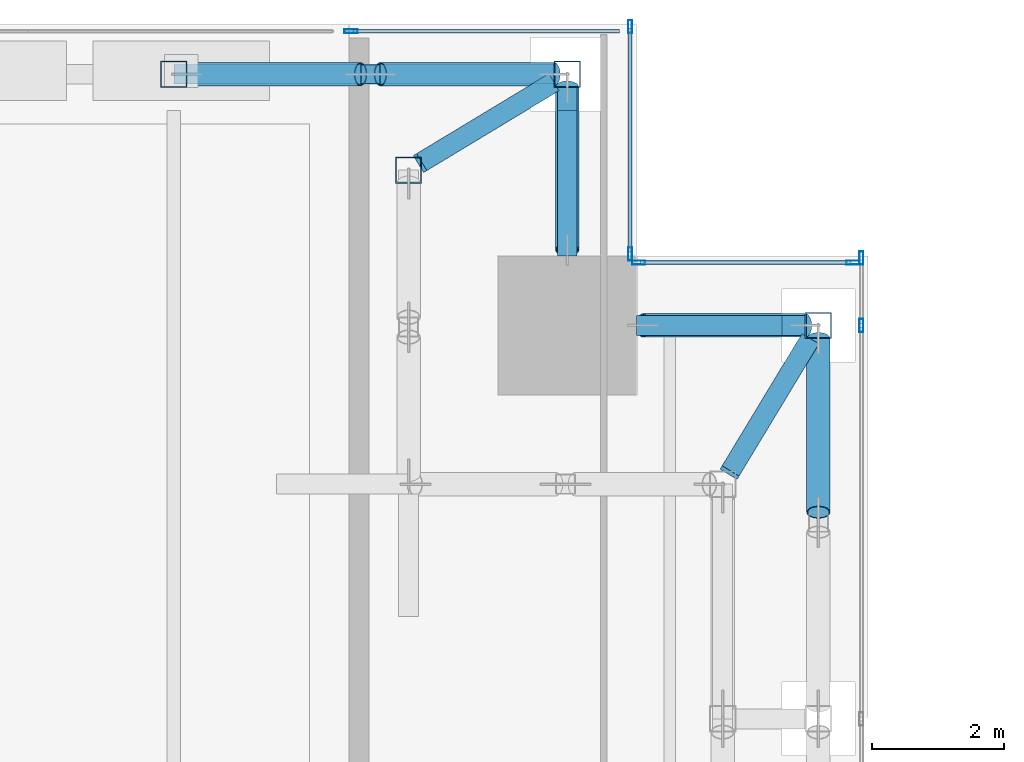
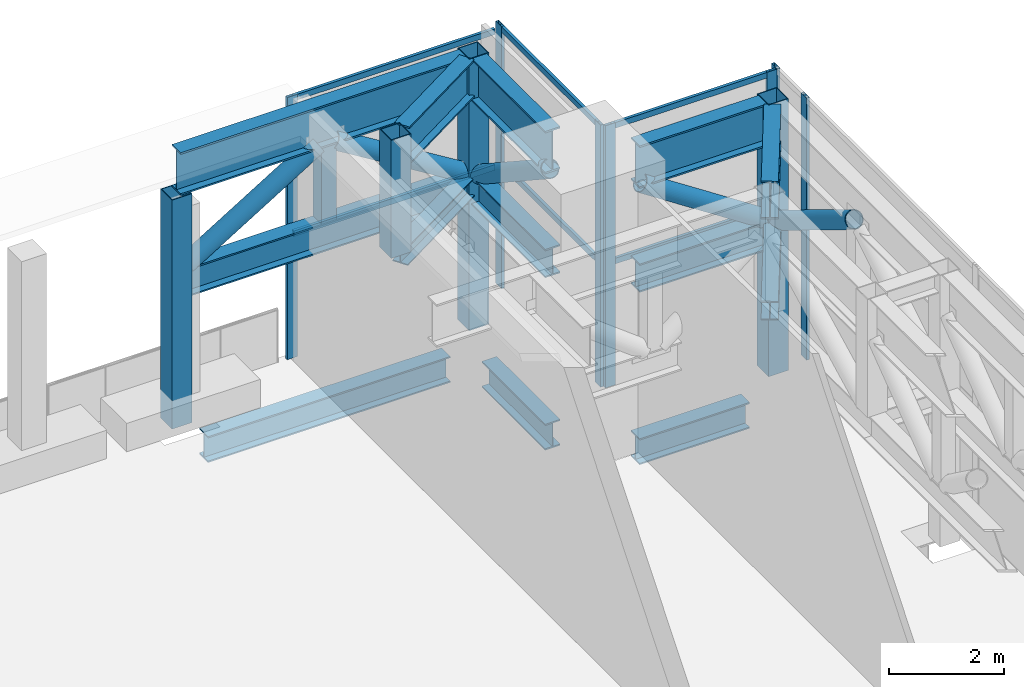
# One storey, part 29 of 47: 29 members, 7 beams, 4 elements without a shape of their own.
"""IFC4 building model written with IfcOpenShell, lengths in metres."""

from ifc_helpers import new_model, si_unit, direction, frame, origin, origin_2d, place, context, subcontext, project, spatial, hollow_rectangle, hollow_circle, i_section, extrude, source, transform, mapped, material, material_profile, profile_set, type_object, element, aggregate, save


model = new_model("IFC4")

# Units and contexts
model_context = context("Model", 3, precision=1e-05, world=origin(), true_north=direction((0.0, 1.0)))
body_context = subcontext(model_context, "Body", "Model", "MODEL_VIEW")
ifc_project = project(units=[si_unit("LENGTHUNIT", "METRE"), si_unit("AREAUNIT", "SQUARE_METRE"), si_unit("VOLUMEUNIT", "CUBIC_METRE"), si_unit("PLANEANGLEUNIT", "RADIAN"), si_unit("MASSUNIT", "GRAM", prefix="KILO")], contexts=[model_context])

# Site, building, storey
site_placement = place(None, origin())
site = spatial("IfcSite", under=ifc_project, at=site_placement, CompositionType="ELEMENT")
building_placement = place(site_placement, origin())
building = spatial("IfcBuilding", under=site, at=building_placement, Name="Khomas Fold Tower", CompositionType="ELEMENT")
storey_placement = place(building_placement, frame((0.0, 0.0, 158.699951171875)))
storey = spatial("IfcBuildingStorey", under=building, at=storey_placement, Name="L34", CompositionType="ELEMENT", Elevation=158.699951171875)

# Beams
ifc_material_1 = material(Name="Steel S355", Category="steel")
ifc_material_profile_1 = material_profile(ifc_material_1, i_section(OverallWidth=0.300048828125, OverallDepth=0.550048828125, WebThickness=0.014892578125, FlangeThickness=0.029052734375, at=origin_2d()), Name="HE 550 B")
ifc_profile_set_1 = profile_set([ifc_material_profile_1], Name="Steel S355")
beam_type_1 = type_object("IfcBeamType", Name="HE 550 B spandrel SB2", PredefinedType="SPANDREL", material=ifc_profile_set_1)
shared_shape_1 = source(origin(), body_context, "Body", "SweptSolid", [
    extrude(i_section(OverallWidth=0.300048828125, OverallDepth=0.550048828125, WebThickness=0.014892578125, FlangeThickness=0.029052734375, at=origin_2d()), origin(), (0.0, 0.0, 1.0), 4.849853515625),
])
beam_placement = place(storey_placement, frame((42.550048828125, 51.75, -0.724853515625), z_axis=(1.0, 0.0, 0.0), x_axis=(0.0, 1.0, 0.0)))
element("IfcBeam", 1, at=beam_placement, inside=storey, type_object=beam_type_1, Name="SB2", PredefinedType="SPANDREL", context=body_context, shape_type="MappedRepresentation", body=[
    mapped(shared_shape_1, transform((0.0, 0.0, 0.0))),
])
shared_shape_2 = source(origin(), body_context, "Body", "SweptSolid", [
    extrude(i_section(OverallWidth=0.300048828125, OverallDepth=0.550048828125, WebThickness=0.014892578125, FlangeThickness=0.029052734375, at=origin_2d()), origin(), (0.0, 0.0, 1.0), 2.199951171875),
])
for number, where, z_axis, x_axis, name in (
    (2, (49.0, 47.949951171875, -0.724853515625), (1.0, 0.0, 0.0), (0.0, 1.0, 0.0), "SB2"),
    (3, (47.949951171875, 49.0, -0.724853515625), (0.0, 1.0, 0.0), (-1.0, 0.0, 0.0), "SB2"),
):
    element("IfcBeam", number, at=place(storey_placement, frame(where, z_axis=z_axis, x_axis=x_axis)), inside=storey, type_object=beam_type_1, Name=name, PredefinedType="SPANDREL", context=body_context, shape_type="MappedRepresentation", body=[
        mapped(shared_shape_2, transform((0.0, 0.0, 0.0))),
    ])

# Members
ifc_material_2 = material(Name="Steel S355", Category="steel")
ifc_material_profile_2 = material_profile(ifc_material_2, i_section(OverallWidth=0.300048828125, OverallDepth=0.60009765625, WebThickness=0.015380859375, FlangeThickness=0.030029296875, at=origin_2d()), Name="HE 600 B")
ifc_profile_set_2 = profile_set([ifc_material_profile_2], Name="Steel S355")
member_type_1 = type_object("IfcMemberType", Name="BELT TRUSS 2 BOTTOM CHORD SHORT HE 600 B", PredefinedType="CHORD", material=ifc_profile_set_2)
shared_shape_3 = source(origin(), body_context, "Body", "SweptSolid", [
    extrude(i_section(OverallWidth=0.300048828125, OverallDepth=0.60009765625, WebThickness=0.015380859375, FlangeThickness=0.030029296875, at=origin_2d()), origin(), (0.0, 0.0, 1.0), 5.550048828125),
])
member_1_placement = place(storey_placement, frame((47.75, 51.75, 2.949951171875), z_axis=(-1.0, 0.0, 0.0), x_axis=(0.0, -1.0, 0.0)))
element("IfcMember", 4, at=member_1_placement, inside=storey, type_object=member_type_1, Name="BT2-CBS", PredefinedType="CHORD", context=body_context, shape_type="MappedRepresentation", body=[
    mapped(shared_shape_3, transform((0.0, 0.0, 0.0))),
])
ifc_material_3 = material(Name="Steel S355", Category="steel")
ifc_material_profile_3 = material_profile(ifc_material_3, hollow_circle(Radius=0.177734375, WallThickness=0.01611328125, at=origin_2d()), Name="CHS 355.6x16")
ifc_profile_set_3 = profile_set([ifc_material_profile_3], Name="Steel S355")
member_type_2 = type_object("IfcMemberType", Name="BELT TRUSS 2 DIAGONAL CHS 355.6x16", PredefinedType="BRACE", material=ifc_profile_set_3)
shared_shape_4 = source(origin(), body_context, "Body", "SweptSolid", [
    extrude(hollow_circle(Radius=0.177734375, WallThickness=0.01611328125, at=origin_2d()), origin(), (0.0, 0.0, 1.0), 3.079345703125),
])
for number, where, z_axis, x_axis, name in (
    (5, (51.75, 45.125, 4.85498046875), (0.0, 0.852457646083, -0.522796290762), (-1.0, 0.0, 0.0), "BT2-D"),
    (6, (47.75, 51.75, 3.2451171875), (-0.852457646083, 0.0, 0.522796290762), (0.0, -1.0, 0.0), "BT2-D"),
    (7, (44.824951171875, 51.75, 4.85498046875), (-0.852457646083, 0.0, -0.522796290762), (0.0, -1.0, 0.0), "BT2-D"),
):
    element("IfcMember", number, at=place(storey_placement, frame(where, z_axis=z_axis, x_axis=x_axis)), inside=storey, type_object=member_type_2, Name=name, PredefinedType="BRACE", context=body_context, shape_type="MappedRepresentation", body=[
        mapped(shared_shape_4, transform((0.0, 0.0, 0.0))),
    ])
ifc_material_4 = material(Name="Steel S355", Category="steel")
ifc_material_profile_4 = material_profile(ifc_material_4, hollow_rectangle(XDim=0.300048828125, YDim=0.300048828125, WallThickness=0.012451171875, at=origin_2d()), Name="SHS 300x300x12.5")
ifc_profile_set_4 = profile_set([ifc_material_profile_4], Name="Steel S355")
member_type_3 = type_object("IfcMemberType", Name="BELT TRUSS 2 MID POST SHS 300x300x12.5", PredefinedType="POST", material=ifc_profile_set_4)
shared_shape_5 = source(origin(), body_context, "Body", "SweptSolid", [
    extrude(hollow_rectangle(XDim=0.300048828125, YDim=0.300048828125, WallThickness=0.012451171875, at=origin_2d()), origin(), (0.0, 0.0, 1.0), 1.60009765625),
])
member_2_placement = place(storey_placement, frame((44.97509765625, 51.75, 3.25), z_axis=(0.0, 0.0, 1.0), x_axis=(1.0, 0.0, 0.0)))
element("IfcMember", 8, at=member_2_placement, inside=storey, type_object=member_type_3, Name="BT2-M", PredefinedType="POST", context=body_context, shape_type="MappedRepresentation", body=[
    mapped(shared_shape_5, transform((0.0, 0.0, 0.0))),
])
ifc_material_5 = material(Name="Steel S460M", Category="steel")
ifc_material_profile_5 = material_profile(ifc_material_5, i_section(OverallWidth=0.300048828125, OverallDepth=0.89990234375, WebThickness=0.0185546875, FlangeThickness=0.034912109375, at=origin_2d()), Name="HE 900 B")
ifc_profile_set_5 = profile_set([ifc_material_profile_5], Name="Steel S460M")
member_type_4 = type_object("IfcMemberType", Name="BELT TRUSS 2 TOP CHORD HE 900 B", PredefinedType="CHORD", material=ifc_profile_set_5)
shared_shape_6 = source(origin(), body_context, "Body", "SweptSolid", [
    extrude(i_section(OverallWidth=0.300048828125, OverallDepth=0.89990234375, WebThickness=0.0185546875, FlangeThickness=0.034912109375, at=origin_2d()), origin(), (0.0, 0.0, 1.0), 5.75),
])
member_3_placement = place(storey_placement, frame((47.75, 51.75, 5.300048828125), z_axis=(-1.0, 0.0, 0.0), x_axis=(0.0, -1.0, 0.0)))
element("IfcMember", 9, at=member_3_placement, inside=storey, type_object=member_type_4, Name="BT2-CT", PredefinedType="CHORD", context=body_context, shape_type="MappedRepresentation", body=[
    mapped(shared_shape_6, transform((0.0, 0.0, 0.0))),
])
ifc_material_6 = material(Name="Steel S460M", Category="steel")
ifc_material_profile_6 = material_profile(ifc_material_6, i_section(OverallWidth=0.300048828125, OverallDepth=0.89990234375, WebThickness=0.0185546875, FlangeThickness=0.034912109375, at=origin_2d()), Name="HE 900 B")
ifc_profile_set_6 = profile_set([ifc_material_profile_6], Name="Steel S460M")
member_type_5 = type_object("IfcMemberType", Name="BELT TRUSS 2 TOP CHORD SHORTER HE 900 B", PredefinedType="CHORD", material=ifc_profile_set_6)
shared_shape_7 = source(origin(), body_context, "Body", "SweptSolid", [
    extrude(i_section(OverallWidth=0.300048828125, OverallDepth=0.89990234375, WebThickness=0.0185546875, FlangeThickness=0.034912109375, at=origin_2d()), origin(), (0.0, 0.0, 1.0), 2.550048828125),
])
for number, where, z_axis, x_axis, name in (
    (10, (51.550048828125, 47.949951171875, 5.300048828125), (-1.0, 0.0, 0.0), (0.0, -1.0, 0.0), "BT2-CTSS"),
    (11, (47.949951171875, 51.550048828125, 5.300048828125), (0.0, -1.0, 0.0), (1.0, 0.0, 0.0), "BT2-CTSS"),
):
    element("IfcMember", number, at=place(storey_placement, frame(where, z_axis=z_axis, x_axis=x_axis)), inside=storey, type_object=member_type_5, Name=name, PredefinedType="CHORD", context=body_context, shape_type="MappedRepresentation", body=[
        mapped(shared_shape_7, transform((0.0, 0.0, 0.0))),
    ])
ifc_material_7 = material(Name="Steel S355", Category="steel")
ifc_material_profile_7 = material_profile(ifc_material_7, i_section(OverallWidth=0.300048828125, OverallDepth=0.60009765625, WebThickness=0.015380859375, FlangeThickness=0.030029296875, at=origin_2d()), Name="HE 600 B")
ifc_profile_set_7 = profile_set([ifc_material_profile_7], Name="Steel S355")
member_type_6 = type_object("IfcMemberType", Name="BELT TRUSS 2 BOTTOM CHORD SHORTER HE 600 B", PredefinedType="CHORD", material=ifc_profile_set_7)
shared_shape_8 = source(origin(), body_context, "Body", "SweptSolid", [
    extrude(i_section(OverallWidth=0.300048828125, OverallDepth=0.60009765625, WebThickness=0.015380859375, FlangeThickness=0.030029296875, at=origin_2d()), origin(), (0.0, 0.0, 1.0), 2.550048828125),
])
for number, where, z_axis, x_axis, name in (
    (12, (51.550048828125, 47.949951171875, 2.949951171875), (-1.0, 0.0, 0.0), (0.0, -1.0, 0.0), "BT2-CBSS"),
    (13, (47.949951171875, 51.550048828125, 2.949951171875), (0.0, -1.0, 0.0), (1.0, 0.0, 0.0), "BT2-CBSS"),
):
    element("IfcMember", number, at=place(storey_placement, frame(where, z_axis=z_axis, x_axis=x_axis)), inside=storey, type_object=member_type_6, Name=name, PredefinedType="CHORD", context=body_context, shape_type="MappedRepresentation", body=[
        mapped(shared_shape_8, transform((0.0, 0.0, 0.0))),
    ])
shared_shape_9 = source(origin(), body_context, "Body", "SweptSolid", [
    extrude(hollow_circle(Radius=0.177734375, WallThickness=0.01611328125, at=origin_2d()), origin(), (0.0, 0.0, 1.0), 2.936279296875),
])
for number, where, z_axis, x_axis, name in (
    (14, (51.550048828125, 47.949951171875, 3.2451171875), (-0.836298117849, 0.0, 0.548274984002), (0.0, -1.0, 0.0), "BT2-D"),
    (15, (47.949951171875, 51.550048828125, 3.2451171875), (0.0, -0.836298117849, 0.548274984002), (1.0, 0.0, 0.0), "BT2-D"),
):
    element("IfcMember", number, at=place(storey_placement, frame(where, z_axis=z_axis, x_axis=x_axis)), inside=storey, type_object=member_type_2, Name=name, PredefinedType="BRACE", context=body_context, shape_type="MappedRepresentation", body=[
        mapped(shared_shape_9, transform((0.0, 0.0, 0.0))),
    ])
ifc_material_8 = material(Name="Steel S460M", Category="steel")
ifc_material_profile_8 = material_profile(ifc_material_8, hollow_rectangle(XDim=0.39990234375, YDim=0.39990234375, WallThickness=0.01611328125, at=origin_2d()), Name="SHS 400x400x16")
ifc_profile_set_8 = profile_set([ifc_material_profile_8], Name="Steel S460M")
member_type_7 = type_object("IfcMemberType", Name="BELT TRUSS 2 COLUMN POST SHS 400x400x16", PredefinedType="POST", material=ifc_profile_set_8)
shared_shape_10 = source(origin(), body_context, "Body", "SweptSolid", [
    extrude(hollow_rectangle(XDim=0.39990234375, YDim=0.39990234375, WallThickness=0.01611328125, at=origin_2d()), origin(), (0.0, 0.0, 1.0), 5.75),
])
for number, where, z_axis, x_axis, name in (
    (16, (51.75, 47.949951171875, 0.0), (0.0, 0.0, 1.0), (1.0, 0.0, 0.0), "BT2-P"),
    (17, (47.949951171875, 51.75, 0.0), (0.0, 0.0, 1.0), (1.0, 0.0, 0.0), "BT2-P"),
):
    element("IfcMember", number, at=place(storey_placement, frame(where, z_axis=z_axis, x_axis=x_axis)), inside=storey, type_object=member_type_7, Name=name, PredefinedType="POST", context=body_context, shape_type="MappedRepresentation", body=[
        mapped(shared_shape_10, transform((0.0, 0.0, 0.0))),
    ])
shared_shape_11 = source(origin(), body_context, "Body", "SweptSolid", [
    extrude(hollow_rectangle(XDim=0.39990234375, YDim=0.39990234375, WallThickness=0.01611328125, at=origin_2d()), origin(), (0.0, 0.0, 1.0), 4.85009765625),
])
member_4_placement = place(storey_placement, frame((42.0, 51.75, 0.0), z_axis=(0.0, 0.0, 1.0), x_axis=(1.0, 0.0, 0.0)))
element("IfcMember", 18, at=member_4_placement, inside=storey, type_object=member_type_7, Name="BT2-P", PredefinedType="POST", context=body_context, shape_type="MappedRepresentation", body=[
    mapped(shared_shape_11, transform((0.0, 0.0, 0.0))),
])
ifc_material_9 = material(Name="Steel S460M", Category="steel")
ifc_material_profile_9 = material_profile(ifc_material_9, hollow_rectangle(XDim=0.39990234375, YDim=0.39990234375, WallThickness=0.01611328125, at=origin_2d()), Name="SHS 400x400x16")
ifc_profile_set_9 = profile_set([ifc_material_profile_9], Name="Steel S460M")
member_type_8 = type_object("IfcMemberType", Name="BELT TRUSS 2 COLUMN POST SHORT SHS 400x400x16", PredefinedType="POST", material=ifc_profile_set_9)
shared_shape_12 = source(origin(), body_context, "Body", "SweptSolid", [
    extrude(hollow_rectangle(XDim=0.39990234375, YDim=0.39990234375, WallThickness=0.01611328125, at=origin_2d()), origin(), (0.0, 0.0, 1.0), 2.5),
])
member_5_placement = place(storey_placement, frame((45.550048828125, 50.300048828125, 3.25), z_axis=(0.0, 0.0, 1.0), x_axis=(1.0, 0.0, 0.0)))
element("IfcMember", 19, at=member_5_placement, inside=storey, type_object=member_type_8, Name="BT2-PS", PredefinedType="POST", context=body_context, shape_type="MappedRepresentation", body=[
    mapped(shared_shape_12, transform((0.0, 0.0, 0.0))),
])

# Beams
ifc_material_10 = material(Name="Steel S460M", Category="steel")
ifc_material_profile_10 = material_profile(ifc_material_10, i_section(OverallWidth=0.300048828125, OverallDepth=0.800048828125, WebThickness=0.017578125, FlangeThickness=0.032958984375, at=origin_2d()), Name="HE 800 B")
ifc_profile_set_10 = profile_set([ifc_material_profile_10], Name="Steel S460M")
beam_type_2 = type_object("IfcBeamType", Name="BELT TRUSS 2 TOP TRANSFER STRUT HE 800 B", PredefinedType="BEAM", material=ifc_profile_set_10)
shared_shape_13 = source(origin(), body_context, "Body", "SweptSolid", [
    extrude(i_section(OverallWidth=0.300048828125, OverallDepth=0.800048828125, WebThickness=0.017578125, FlangeThickness=0.032958984375, at=origin_2d()), origin(), (0.0, 0.0, 1.0), 2.336669921875),
])
for number, where, z_axis, x_axis, name in (
    (20, (50.4208984375, 45.75, 5.35009765625), (0.517090125061, 0.855930956657, 0.0), (-0.855930956657, 0.517090125061, 0.0), "BT2-STD"),
    (21, (45.75, 50.4208984375, 5.35009765625), (0.855930956657, 0.517090125061, 0.0), (-0.517090125061, 0.855930956657, 0.0), "BT2-STD"),
):
    element("IfcBeam", number, at=place(storey_placement, frame(where, z_axis=z_axis, x_axis=x_axis)), inside=storey, type_object=beam_type_2, Name=name, PredefinedType="BEAM", context=body_context, shape_type="MappedRepresentation", body=[
        mapped(shared_shape_13, transform((0.0, 0.0, 0.0))),
    ])
ifc_material_11 = material(Name="Steel S355", Category="steel")
ifc_material_profile_11 = material_profile(ifc_material_11, i_section(OverallWidth=0.300048828125, OverallDepth=0.39990234375, WebThickness=0.013427734375, FlangeThickness=0.02392578125, at=origin_2d()), Name="HE 400 B")
ifc_profile_set_11 = profile_set([ifc_material_profile_11], Name="Steel S355")
beam_type_3 = type_object("IfcBeamType", Name="BELT TRUSS 2 BOTTOM STRUT LONG HE 400 B", PredefinedType="BEAM", material=ifc_profile_set_11)
shared_shape_14 = source(origin(), body_context, "Body", "SweptSolid", [
    extrude(i_section(OverallWidth=0.300048828125, OverallDepth=0.39990234375, WebThickness=0.013427734375, FlangeThickness=0.02392578125, at=origin_2d()), origin(), (0.0, 0.0, 1.0), 2.39501953125),
])
for number, where, z_axis, x_axis, name in (
    (22, (50.390625, 45.699951171875, 3.050048828125), (0.51710163837, 0.855924001063, 0.0), (-0.855924001063, 0.51710163837, 0.0), "BT2-SBL"),
    (23, (45.699951171875, 50.390625, 3.050048828125), (0.855924001063, 0.51710163837, 0.0), (-0.51710163837, 0.855924001063, 0.0), "BT2-SBL"),
):
    element("IfcBeam", number, at=place(storey_placement, frame(where, z_axis=z_axis, x_axis=x_axis)), inside=storey, type_object=beam_type_3, Name=name, PredefinedType="BEAM", context=body_context, shape_type="MappedRepresentation", body=[
        mapped(shared_shape_14, transform((0.0, 0.0, 0.0))),
    ])

# Curtain wall, members
ifc_material_12 = material(Name="Aluminium framed double glazing", Category="aluminium")
curtain_wall_type = type_object("IfcCurtainWallType", Name="SK-Unitised clear-glass wall, growing floors CW1", PredefinedType="NOTDEFINED", material=ifc_material_12)
curtain_wall_1_placement = place(storey_placement, origin())
curtain_wall_1 = element("IfcCurtainWall", 24, at=curtain_wall_1_placement, inside=storey, type_object=curtain_wall_type, Name="CW1 corner return L34 09", PredefinedType="NOTDEFINED")
ifc_material_13 = material(Name="Aluminium", Category="aluminium")
ifc_material_profile_12 = material_profile(ifc_material_13, hollow_rectangle(XDim=0.06005859375, YDim=0.1201171875, WallThickness=0.00390625, at=origin_2d()), Name="SK-Unitised clear-glass wall, growing floors transom CW1-T")
ifc_profile_set_12 = profile_set([ifc_material_profile_12], Name="Aluminium")
member_type_9 = type_object("IfcMemberType", Name="SK-Unitised clear-glass wall, growing floors transom CW1-T", PredefinedType="USERDEFINED", material=ifc_profile_set_12)
shared_shape_15 = source(origin(), body_context, "Body", "SweptSolid", [
    extrude(hollow_rectangle(XDim=0.06005859375, YDim=0.1201171875, WallThickness=0.00390625, at=origin_2d()), origin(), (0.0, 0.0, 1.0), 3.179931640625),
])
member_6_placement = place(storey_placement, frame((52.239990234375, 48.89990234375, 5.489990234375), z_axis=(-1.0, 0.0, 0.0), x_axis=(0.0, -1.0, 0.0)))
member_6 = element("IfcMember", 25, at=member_6_placement, type_object=member_type_9, Name="CW1 transom 1", ObjectType="TRANSOM", PredefinedType="USERDEFINED", context=body_context, shape_type="MappedRepresentation", body=[
    mapped(shared_shape_15, transform((0.0, 0.0, 0.0))),
])
member_7_placement = place(storey_placement, frame((52.239990234375, 48.89990234375, 2.6171875), z_axis=(-1.0, 0.0, 0.0), x_axis=(0.0, -1.0, 0.0)))
member_7 = element("IfcMember", 26, at=member_7_placement, type_object=member_type_9, Name="CW1 transom 1 (truss floor)", ObjectType="TRANSOM", PredefinedType="USERDEFINED", context=body_context, shape_type="MappedRepresentation", body=[
    mapped(shared_shape_15, transform((0.0, 0.0, 0.0))),
])

curtain_wall_2_placement = place(storey_placement, origin())
curtain_wall_2 = element("IfcCurtainWall", 27, at=curtain_wall_2_placement, inside=storey, type_object=curtain_wall_type, Name="CW1 corner return L34 10", PredefinedType="NOTDEFINED")
shared_shape_16 = source(origin(), body_context, "Body", "SweptSolid", [
    extrude(hollow_rectangle(XDim=0.06005859375, YDim=0.1201171875, WallThickness=0.00390625, at=origin_2d()), origin(), (0.0, 0.0, 1.0), 3.3798828125),
])
member_8_placement = place(storey_placement, frame((48.89990234375, 49.06005859375, 5.489990234375), z_axis=(0.0, 1.0, 0.0), x_axis=(-1.0, 0.0, 0.0)))
member_8 = element("IfcMember", 28, at=member_8_placement, type_object=member_type_9, Name="CW1 transom 1", ObjectType="TRANSOM", PredefinedType="USERDEFINED", context=body_context, shape_type="MappedRepresentation", body=[
    mapped(shared_shape_16, transform((0.0, 0.0, 0.0))),
])
member_9_placement = place(storey_placement, frame((48.89990234375, 49.06005859375, 2.6171875), z_axis=(0.0, 1.0, 0.0), x_axis=(-1.0, 0.0, 0.0)))
member_9 = element("IfcMember", 29, at=member_9_placement, type_object=member_type_9, Name="CW1 transom 1 (truss floor)", ObjectType="TRANSOM", PredefinedType="USERDEFINED", context=body_context, shape_type="MappedRepresentation", body=[
    mapped(shared_shape_16, transform((0.0, 0.0, 0.0))),
])

curtain_wall_3_placement = place(storey_placement, origin())
curtain_wall_3 = element("IfcCurtainWall", 30, at=curtain_wall_3_placement, inside=storey, type_object=curtain_wall_type, Name="CW1 run L34 08-0", PredefinedType="NOTDEFINED")
ifc_material_14 = material(Name="Aluminium", Category="aluminium")
ifc_material_profile_13 = material_profile(ifc_material_14, hollow_rectangle(XDim=0.06005859375, YDim=0.199951171875, WallThickness=0.00390625, at=origin_2d()), Name="SK-Unitised clear-glass wall, growing floors mullion CW1-M")
ifc_profile_set_13 = profile_set([ifc_material_profile_13], Name="Aluminium")
member_type_10 = type_object("IfcMemberType", Name="SK-Unitised clear-glass wall, growing floors mullion CW1-M", PredefinedType="MULLION", material=ifc_profile_set_13)
shared_shape_17 = source(origin(), body_context, "Body", "SweptSolid", [
    extrude(hollow_rectangle(XDim=0.06005859375, YDim=0.199951171875, WallThickness=0.00390625, at=origin_2d()), origin(), (0.0, 0.0, 1.0), 5.550048828125),
])
member_10_placement = place(storey_placement, frame((52.39990234375, 47.949951171875, 0.0), z_axis=(0.0, 0.0, 1.0), x_axis=(-1.0, 0.0, 0.0)))
member_10 = element("IfcMember", 31, at=member_10_placement, type_object=member_type_10, Name="CW1 mullion 8", PredefinedType="MULLION", context=body_context, shape_type="MappedRepresentation", body=[
    mapped(shared_shape_17, transform((0.0, 0.0, 0.0))),
])
member_11_placement = place(storey_placement, frame((52.39990234375, 48.969970703125, 0.0), z_axis=(0.0, 0.0, 1.0), x_axis=(-1.0, 0.0, 0.0)))
member_11 = element("IfcMember", 32, at=member_11_placement, type_object=member_type_10, Name="CW1 mullion 9", PredefinedType="MULLION", context=body_context, shape_type="MappedRepresentation", body=[
    mapped(shared_shape_17, transform((0.0, 0.0, 0.0))),
])
aggregate(curtain_wall_3, [member_10, member_11])

# Member
member_12_placement = place(storey_placement, frame((52.27001953125, 48.89990234375, 0.0), z_axis=(0.0, 0.0, 1.0), x_axis=(0.0, -1.0, 0.0)))
member_12 = element("IfcMember", 33, at=member_12_placement, type_object=member_type_10, Name="CW1 mullion 1", PredefinedType="MULLION", context=body_context, shape_type="MappedRepresentation", body=[
    mapped(shared_shape_17, transform((0.0, 0.0, 0.0))),
])

member_13_placement = place(storey_placement, frame((49.030029296875, 48.89990234375, 0.0), z_axis=(0.0, 0.0, 1.0), x_axis=(0.0, -1.0, 0.0)))
member_13 = element("IfcMember", 34, at=member_13_placement, type_object=member_type_10, Name="CW1 mullion 2", PredefinedType="MULLION", context=body_context, shape_type="MappedRepresentation", body=[
    mapped(shared_shape_17, transform((0.0, 0.0, 0.0))),
])

aggregate(curtain_wall_1, [member_12, member_13, member_6, member_7])

member_14_placement = place(storey_placement, frame((48.89990234375, 49.030029296875, 0.0), z_axis=(0.0, 0.0, 1.0), x_axis=(-1.0, 0.0, 0.0)))
member_14 = element("IfcMember", 35, at=member_14_placement, type_object=member_type_10, Name="CW1 mullion 1", PredefinedType="MULLION", context=body_context, shape_type="MappedRepresentation", body=[
    mapped(shared_shape_17, transform((0.0, 0.0, 0.0))),
])

member_15_placement = place(storey_placement, frame((48.89990234375, 52.469970703125, 0.0), z_axis=(0.0, 0.0, 1.0), x_axis=(-1.0, 0.0, 0.0)))
member_15 = element("IfcMember", 36, at=member_15_placement, type_object=member_type_10, Name="CW1 mullion 2", PredefinedType="MULLION", context=body_context, shape_type="MappedRepresentation", body=[
    mapped(shared_shape_17, transform((0.0, 0.0, 0.0))),
])

aggregate(curtain_wall_2, [member_14, member_15, member_8, member_9])

# Curtain wall, members
curtain_wall_4_placement = place(storey_placement, origin())
curtain_wall_4 = element("IfcCurtainWall", 37, at=curtain_wall_4_placement, inside=storey, type_object=curtain_wall_type, Name="CW1 run L34 11-0", PredefinedType="NOTDEFINED")
member_16_placement = place(storey_placement, frame((44.679931640625, 52.39990234375, 0.0), z_axis=(0.0, 0.0, 1.0), x_axis=(0.0, -1.0, 0.0)))
member_16 = element("IfcMember", 38, at=member_16_placement, type_object=member_type_10, Name="CW1 mullion 2", PredefinedType="MULLION", context=body_context, shape_type="MappedRepresentation", body=[
    mapped(shared_shape_17, transform((0.0, 0.0, 0.0))),
])
shared_shape_18 = source(origin(), body_context, "Body", "SweptSolid", [
    extrude(hollow_rectangle(XDim=0.06005859375, YDim=0.1201171875, WallThickness=0.00390625, at=origin_2d()), origin(), (0.0, 0.0, 1.0), 4.030029296875),
])
member_17_placement = place(storey_placement, frame((48.739990234375, 52.39990234375, 5.489990234375), z_axis=(-1.0, 0.0, 0.0), x_axis=(0.0, -1.0, 0.0)))
member_17 = element("IfcMember", 39, at=member_17_placement, type_object=member_type_9, Name="CW1 transom 1", ObjectType="TRANSOM", PredefinedType="USERDEFINED", context=body_context, shape_type="MappedRepresentation", body=[
    mapped(shared_shape_18, transform((0.0, 0.0, 0.0))),
])
member_18_placement = place(storey_placement, frame((48.739990234375, 52.39990234375, 2.6171875), z_axis=(-1.0, 0.0, 0.0), x_axis=(0.0, -1.0, 0.0)))
member_18 = element("IfcMember", 40, at=member_18_placement, type_object=member_type_9, Name="CW1 transom 1 (truss floor)", ObjectType="TRANSOM", PredefinedType="USERDEFINED", context=body_context, shape_type="MappedRepresentation", body=[
    mapped(shared_shape_18, transform((0.0, 0.0, 0.0))),
])
aggregate(curtain_wall_4, [member_16, member_17, member_18])

save(model, "model.ifc")
